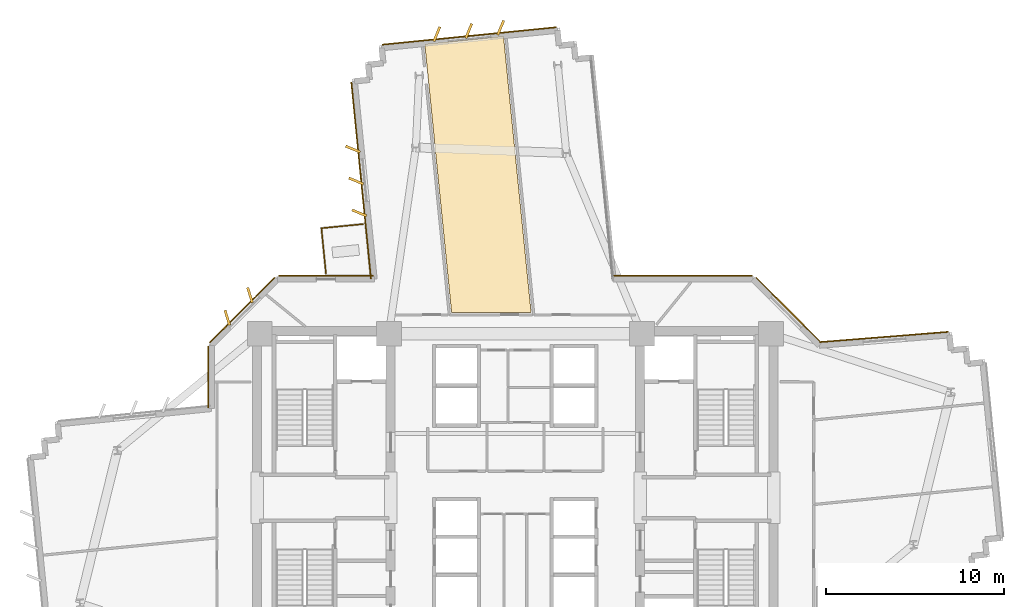
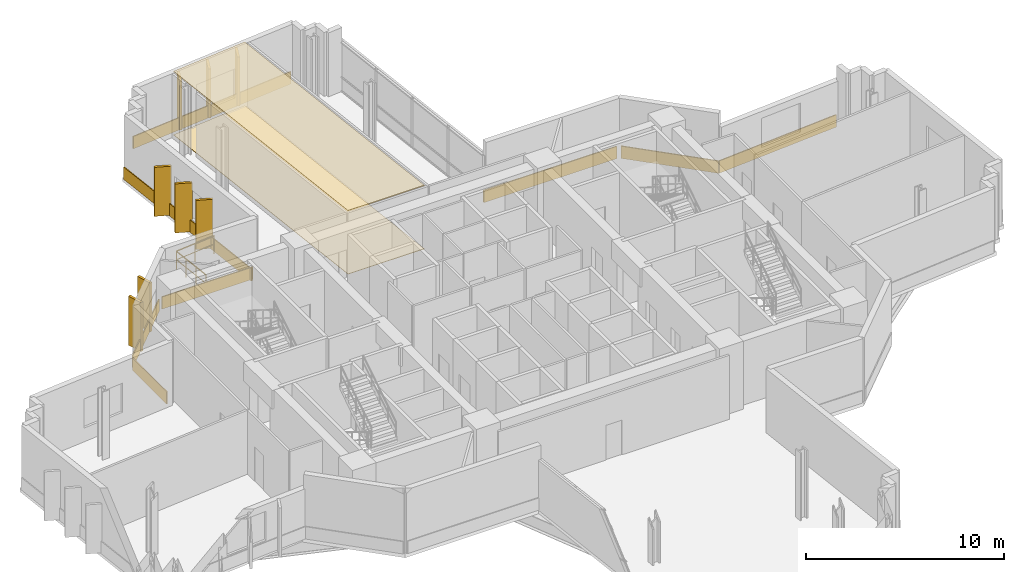
# One storey, part 14 of 14: 18 coverings, 2 railings.
"""IFC4 building model written with IfcOpenShell, lengths in metres."""

import ifcopenshell
import ifcopenshell.guid

model = None  # the IFC model being written
_history = None  # IfcOwnerHistory: only IFC2X3 demands one
_inside = {}  # id of a spatial element -> (the spatial element, [elements in it])
_under = {}  # id of a project, library or spatial element -> (it, [spatial elements below it])
_declared = {}  # id of a project -> (the project, [libraries it declares])
_typed = {}  # id of a type object -> (the type object, [elements of that type])
_made_of = {}  # id of a material, layer set ... -> (it, [elements and type objects made of it])


def new_model(schema):
    """Start an empty IFC model of exactly this schema.

    Asked for "IFC4X3", IfcOpenShell would pick the latest addendum, in which some entities
    have other attributes; the version numbers below select the first issue.
    IFC2X3 requires an IfcOwnerHistory on every rooted entity: one is made here for all.
    """
    global model, _history
    if schema == "IFC4X3":
        model = ifcopenshell.file(schema_version=(4, 3, 0, 0))
    else:
        model = ifcopenshell.file(schema=schema)
    _inside.clear()
    _under.clear()
    _declared.clear()
    _typed.clear()
    _made_of.clear()
    _history = None
    if model.schema == "IFC2X3":
        org = make("IfcOrganization", Name="unknown")
        user = make(
            "IfcPersonAndOrganization",
            ThePerson=make("IfcPerson", FamilyName="unknown"),
            TheOrganization=org,
        )
        app = make(
            "IfcApplication",
            ApplicationDeveloper=org,
            Version="unknown",
            ApplicationFullName="unknown",
            ApplicationIdentifier="unknown",
        )
        _history = make(
            "IfcOwnerHistory",
            OwningUser=user,
            OwningApplication=app,
            ChangeAction="ADDED",
            CreationDate=0,
        )
    return model


def make(cls, **values):
    """One entity of the class cls with the attributes given. An attribute that is None is left unset."""
    return model.create_entity(
        cls, **{name: value for name, value in values.items() if value is not None}
    )


def rooted(cls, **values):
    """An entity with a GlobalId (a new one), such as an element, a storey or a relation."""
    return make(cls, GlobalId=ifcopenshell.guid.new(), OwnerHistory=_history, **values)


def si_unit(unit_type, name, prefix=None):
    """IfcSIUnit, for example si_unit("LENGTHUNIT", "METRE", prefix="MILLI")."""
    return make("IfcSIUnit", UnitType=unit_type, Prefix=prefix, Name=name)


def assignment(units):
    """IfcUnitAssignment: the units of a project."""
    return None if units is None else make("IfcUnitAssignment", Units=units)


def point(xyz):
    """IfcCartesianPoint."""
    return None if xyz is None else make("IfcCartesianPoint", Coordinates=xyz)


def direction(xyz):
    """IfcDirection."""
    return None if xyz is None else make("IfcDirection", DirectionRatios=xyz)


def frame(location, z_axis=None, x_axis=None):
    """IfcAxis2Placement3D, a coordinate frame: its origin and axes. An axis left out is left unset."""
    return make(
        "IfcAxis2Placement3D",
        Location=point(location),
        Axis=direction(z_axis),
        RefDirection=direction(x_axis),
    )


def frame_2d(location, x_axis=None):
    """IfcAxis2Placement2D, a coordinate frame in the plane: its origin and x axis."""
    return make(
        "IfcAxis2Placement2D", Location=point(location), RefDirection=direction(x_axis)
    )


def origin():
    """The frame at (0, 0, 0) with its axes left unset."""
    return frame((0.0, 0.0, 0.0))


def origin_2d():
    """The frame at (0, 0) in the plane with its x axis left unset."""
    return frame_2d((0.0, 0.0))


def place(relative_to, where):
    """IfcLocalPlacement: puts the frame where relative to a parent placement (None: the world)."""
    return make(
        "IfcLocalPlacement", PlacementRelTo=relative_to, RelativePlacement=where
    )


def context(
    kind, dimensions, precision=None, world=None, true_north=None, identifier=None
):
    """IfcGeometricRepresentationContext, for example the 3D "Model" context."""
    return make(
        "IfcGeometricRepresentationContext",
        ContextIdentifier=identifier,
        ContextType=kind,
        CoordinateSpaceDimension=dimensions,
        Precision=precision,
        WorldCoordinateSystem=world,
        TrueNorth=true_north,
    )


def subcontext(parent, identifier, kind, view, scale=None):
    """IfcGeometricRepresentationSubContext, for example "Body" below "Model"."""
    return make(
        "IfcGeometricRepresentationSubContext",
        ContextIdentifier=identifier,
        ContextType=kind,
        ParentContext=parent,
        TargetScale=scale,
        TargetView=view,
    )


def project(units=None, contexts=None):
    """IfcProject with its units and contexts."""
    return rooted(
        "IfcProject",
        Name="project",
        RepresentationContexts=contexts,
        UnitsInContext=assignment(units),
    )


def spatial(cls, under=None, at=None, **own):
    """A site, building, storey or space (cls), placed at a placement, below another one or the project."""
    s = rooted(cls, ObjectPlacement=at, **own)
    if under is not None:
        _under.setdefault(under.id(), (under, []))[1].append(s)
    return s


def polyline(points):
    """IfcPolyline through the points."""
    return make("IfcPolyline", Points=[point(p) for p in points])


def profile(cls, at=None, kind="AREA", **sizes):
    """A parametric profile (cls). Its sizes go by their IFC names, for example OverallWidth=200.0."""
    return make(cls, ProfileType=kind, Position=at, **sizes)


def rectangle(**sizes):
    """IfcRectangleProfileDef."""
    return profile("IfcRectangleProfileDef", **sizes)


def outline(outer, holes=None, kind="AREA"):
    """IfcArbitraryClosedProfileDef: a profile drawn as a closed curve; with holes, ...WithVoids."""
    if holes is None:
        return make("IfcArbitraryClosedProfileDef", ProfileType=kind, OuterCurve=outer)
    return make(
        "IfcArbitraryProfileDefWithVoids",
        ProfileType=kind,
        OuterCurve=outer,
        InnerCurves=holes,
    )


def extrude(swept, where, along, depth):
    """IfcExtrudedAreaSolid: the profile swept, set in the frame where, extruded along a direction by depth."""
    return make(
        "IfcExtrudedAreaSolid",
        SweptArea=swept,
        Position=where,
        ExtrudedDirection=direction(along),
        Depth=depth,
    )


def shape(context_of_items, identifier, shape_type, items):
    """IfcShapeRepresentation: the items that make up one representation, for example the "Body"."""
    return make(
        "IfcShapeRepresentation",
        ContextOfItems=context_of_items,
        RepresentationIdentifier=identifier,
        RepresentationType=shape_type,
        Items=items,
    )


def source(mapping_origin, context_of_items, identifier, shape_type, items):
    """IfcRepresentationMap: a shape defined once, which mapped items show again and again."""
    return make(
        "IfcRepresentationMap",
        MappingOrigin=mapping_origin,
        MappedRepresentation=shape(context_of_items, identifier, shape_type, items),
    )


def transform(
    local_origin,
    x_axis=None,
    y_axis=None,
    z_axis=None,
    scale=None,
    scale2=None,
    scale3=None,
    uniform=True,
):
    """IfcCartesianTransformationOperator3D, or its non-uniform kind. x_axis, y_axis, z_axis: its Axis1, 2, 3."""
    if uniform:
        return make(
            "IfcCartesianTransformationOperator3D",
            Axis1=direction(x_axis),
            Axis2=direction(y_axis),
            LocalOrigin=point(local_origin),
            Scale=scale,
            Axis3=direction(z_axis),
        )
    return make(
        "IfcCartesianTransformationOperator3DnonUniform",
        Axis1=direction(x_axis),
        Axis2=direction(y_axis),
        LocalOrigin=point(local_origin),
        Scale=scale,
        Axis3=direction(z_axis),
        Scale2=scale2,
        Scale3=scale3,
    )


def mapped(mapping_source, mapping_target):
    """IfcMappedItem: shows the shape of a source again, moved by a transform."""
    return make(
        "IfcMappedItem", MappingSource=mapping_source, MappingTarget=mapping_target
    )


def material(Name=None, Category=None):
    """IfcMaterial."""
    return make("IfcMaterial", Name=Name, Category=Category)


def layer(
    of_material, thickness, ventilated=None, Name=None, Category=None, Priority=None
):
    """IfcMaterialLayer: one layer of a wall or slab, of a material (None: an air gap)."""
    return make(
        "IfcMaterialLayer",
        Material=of_material,
        LayerThickness=thickness,
        IsVentilated=ventilated,
        Name=Name,
        Category=Category,
        Priority=Priority,
    )


def layer_set(layers, Name=None):
    """IfcMaterialLayerSet."""
    return make("IfcMaterialLayerSet", MaterialLayers=layers, LayerSetName=Name)


def made_of(thing, what):
    """Note that an element or type object is made of a material, layer set ...; save() writes the relation."""
    if what is not None:
        _made_of.setdefault(what.id(), (what, []))[1].append(thing)
    return thing


def type_object(cls, material=None, **own):
    """A type object (cls), such as IfcWallType, which elements share."""
    return made_of(rooted(cls, **own), material)


def element(
    cls,
    number,
    at=None,
    inside=None,
    cuts=None,
    type_object=None,
    material=None,
    context=None,
    identifier="Body",
    shape_type=None,
    held_by="IfcProductDefinitionShape",
    body=None,
    shapes=None,
    **own,
):
    """One element of the class cls, such as IfcWall. Its Tag is "e" and its number.

    at: its placement. inside: the storey or other place that contains it. cuts: it is an
    opening in that element (IfcRelVoidsElement). A single representation is given by context,
    identifier, shape_type and body (its items); several are given by shapes. held_by: the class
    of the entity that holds the representations. save() writes the other relations.
    """
    e = rooted(cls, Tag="e%d" % number, ObjectPlacement=at, **own)
    if body is not None:
        shapes = [shape(context, identifier, shape_type, body)]
    if shapes is not None:
        e.Representation = make(held_by, Representations=shapes)
    if inside is not None:
        _inside.setdefault(inside.id(), (inside, []))[1].append(e)
    if cuts is not None:
        rooted(
            "IfcRelVoidsElement", RelatingBuildingElement=cuts, RelatedOpeningElement=e
        )
    if type_object is not None:
        _typed.setdefault(type_object.id(), (type_object, []))[1].append(e)
    return made_of(e, material)


def aggregate(whole, parts):
    """IfcRelAggregates: a whole, such as a stair, and the parts it consists of."""
    return rooted("IfcRelAggregates", RelatingObject=whole, RelatedObjects=parts)


def save(model, path):
    """Write the relations noted so far, then the file.

    IfcRelAggregates (storeys below a building ...), IfcRelContainedInSpatialStructure (elements
    in a storey), IfcRelDefinesByType, IfcRelAssociatesMaterial and IfcRelDeclares: one each for
    every whole, place, type object, material and project.
    """
    for whole, parts in _under.values():
        aggregate(whole, parts)
    for where, things in _inside.values():
        rooted(
            "IfcRelContainedInSpatialStructure",
            RelatedElements=things,
            RelatingStructure=where,
        )
    for kind, things in _typed.values():
        rooted("IfcRelDefinesByType", RelatedObjects=things, RelatingType=kind)
    for what, things in _made_of.values():
        rooted("IfcRelAssociatesMaterial", RelatedObjects=things, RelatingMaterial=what)
    for by, libraries in _declared.values():
        rooted("IfcRelDeclares", RelatingContext=by, RelatedDefinitions=libraries)
    model.write(path)


model = new_model("IFC4")

# Units and contexts
model_context = context("Model", 3, precision=1e-05, world=origin(), true_north=direction((0.0, 1.0)))
body_context = subcontext(model_context, "Body", "Model", "MODEL_VIEW")
ifc_project = project(units=[si_unit("LENGTHUNIT", "METRE"), si_unit("AREAUNIT", "SQUARE_METRE"), si_unit("VOLUMEUNIT", "CUBIC_METRE"), si_unit("PLANEANGLEUNIT", "RADIAN"), si_unit("MASSUNIT", "GRAM", prefix="KILO")], contexts=[model_context])

# Site, building, storey
site_placement = place(None, origin())
site = spatial("IfcSite", under=ifc_project, at=site_placement, CompositionType="ELEMENT")
building_placement = place(site_placement, origin())
building = spatial("IfcBuilding", under=site, at=building_placement, Name="Zahravan Cultural Tower", CompositionType="ELEMENT")
storey_placement = place(building_placement, frame((0.0, 0.0, 96.300048828125)))
storey = spatial("IfcBuildingStorey", under=building, at=storey_placement, Name="L21", CompositionType="ELEMENT", Elevation=96.300048828125)

# Coverings
ifc_material_1 = material(Name="Acoustic mineral fibreboard")
ifc_layer_1 = layer(ifc_material_1, 0.0400390625)
ifc_layer_set_1 = layer_set([ifc_layer_1], Name="Acoustic mineral fibreboard")
covering_type_1 = type_object("IfcCoveringType", Name="COV-CEIL-AC20", PredefinedType="CEILING", material=ifc_layer_set_1)
covering_1_placement = place(storey_placement, frame((0.0, 0.0, 3.909912109375)))
element("IfcCovering", 1, at=covering_1_placement, inside=storey, type_object=covering_type_1, Name="L21 Acoustic Suspended Ceiling", PredefinedType="CEILING", context=body_context, shape_type="SweptSolid", body=[
    extrude(outline(polyline([(30.916015625, 52.4609375), (32.41943359375, 37.39990234375), (36.88134765625, 37.39990234375), (35.333984375, 52.90185546875), (30.916015625, 52.4609375)])), origin(), (0.0, 0.0, 1.0), 0.0400390625),
])
ifc_material_2 = material(Name="Terrazzo flooring")
ifc_layer_2 = layer(ifc_material_2, 0.02490234375)
ifc_layer_set_2 = layer_set([ifc_layer_2], Name="Terrazzo flooring")
covering_type_2 = type_object("IfcCoveringType", Name="COV-FLR-TZ25", PredefinedType="FLOORING", material=ifc_layer_set_2)
covering_2_placement = place(storey_placement, origin())
element("IfcCovering", 2, at=covering_2_placement, inside=storey, type_object=covering_type_2, Name="L21 Polished Terrazzo Flooring", PredefinedType="FLOORING", context=body_context, shape_type="SweptSolid", body=[
    extrude(outline(polyline([(30.916015625, 52.4609375), (32.41943359375, 37.39990234375), (36.88134765625, 37.39990234375), (35.333984375, 52.90185546875), (30.916015625, 52.4609375)])), origin(), (0.0, 0.0, 1.0), 0.02490234375),
])

# Railings
ifc_material_3 = material(Name="Steel ASTM A572 Grade 50", Category="steel")
railing_type = type_object("IfcRailingType", Name="RL-BAL-1150", PredefinedType="BALUSTRADE", material=ifc_material_3)
railing_1_placement = place(storey_placement, frame((25.114013671875, 42.12353515625, 0.0)))
element("IfcRailing", 3, at=railing_1_placement, inside=storey, type_object=railing_type, Name="L21 Edge Balustrade GRD-TR-L21-NW-01", PredefinedType="BALUSTRADE", context=body_context, shape_type="SweptSolid", body=[
    extrude(rectangle(XDim=0.05, YDim=0.05, at=origin_2d()), frame((0.0, 0.0, 1.125), z_axis=(0.995055687983, 0.099318567312, 0.0), x_axis=(-0.099318567312, 0.995055687983, 0.0)), (0.0, 0.0, 1.0), 2.35009765625),
    extrude(rectangle(XDim=0.032, YDim=0.032, at=origin_2d()), frame((0.0, 0.0, 0.597900390625), z_axis=(0.995055687983, 0.099318567312, 0.0), x_axis=(-0.099318567312, 0.995055687983, 0.0)), (0.0, 0.0, 1.0), 2.35009765625),
    extrude(rectangle(XDim=0.04, YDim=0.04, at=origin_2d()), origin(), (0.0, 0.0, 1.0), 1.14990234375),
    extrude(rectangle(XDim=0.04, YDim=0.04, at=origin_2d()), frame((1.169189453125, 0.11669921875, 0.0)), (0.0, 0.0, 1.0), 1.14990234375),
    extrude(rectangle(XDim=0.04, YDim=0.04, at=origin_2d()), frame((2.33837890625, 0.2333984375, 0.0)), (0.0, 0.0, 1.0), 1.14990234375),
])
railing_2_placement = place(storey_placement, frame((25.367919921875, 39.580078125, 0.0)))
element("IfcRailing", 4, at=railing_2_placement, inside=storey, type_object=railing_type, Name="L21 Edge Balustrade GRD-TR-L21-NW-02", PredefinedType="BALUSTRADE", context=body_context, shape_type="SweptSolid", body=[
    extrude(rectangle(XDim=0.05, YDim=0.05, at=origin_2d()), frame((0.0, 0.0, 1.125), z_axis=(-0.099333496417, 0.995054197765, 0.0), x_axis=(-0.995054197765, -0.099333496417, 0.0)), (0.0, 0.0, 1.0), 2.55615234375),
    extrude(rectangle(XDim=0.032, YDim=0.032, at=origin_2d()), frame((0.0, 0.0, 0.597900390625), z_axis=(-0.099333496417, 0.995054197765, 0.0), x_axis=(-0.995054197765, -0.099333496417, 0.0)), (0.0, 0.0, 1.0), 2.55615234375),
    extrude(rectangle(XDim=0.04, YDim=0.04, at=origin_2d()), origin(), (0.0, 0.0, 1.0), 1.14990234375),
    extrude(rectangle(XDim=0.04, YDim=0.04, at=origin_2d()), frame((-0.084716796875, 0.847900390625, 0.0)), (0.0, 0.0, 1.0), 1.14990234375),
    extrude(rectangle(XDim=0.04, YDim=0.04, at=origin_2d()), frame((-0.169189453125, 1.695556640625, 0.0)), (0.0, 0.0, 1.0), 1.14990234375),
    extrude(rectangle(XDim=0.04, YDim=0.04, at=origin_2d()), frame((-0.25390625, 2.54345703125, 0.0)), (0.0, 0.0, 1.0), 1.14990234375),
])

# Coverings
ifc_material_4 = material(Name="Terracotta ceramic cladding", Category="masonry")
ifc_layer_3 = layer(ifc_material_4, 0.06005859375)
ifc_layer_set_3 = layer_set([ifc_layer_3], Name="Terracotta ceramic cladding")
covering_type_3 = type_object("IfcCoveringType", Name="COV-CLAD-TC60", PredefinedType="CLADDING", material=ifc_layer_set_3)
shared_shape_1 = source(origin(), body_context, "Body", "SweptSolid", [
    extrude(rectangle(XDim=9.820068359375, YDim=0.06005859375, at=origin_2d()), origin(), (0.0, 0.0, 1.0), 0.760009765625),
])
covering_3_placement = place(storey_placement, frame((33.4130859375, 52.916259765625, 0.02001953125), z_axis=(0.0, 0.0, 1.0), x_axis=(0.995055569961, 0.099319749744, 0.0)))
element("IfcCovering", 5, at=covering_3_placement, inside=storey, type_object=covering_type_3, Name="L21 Terracotta Spandrel Cladding 20", PredefinedType="CLADDING", context=body_context, shape_type="MappedRepresentation", body=[
    mapped(shared_shape_1, transform((0.0, 0.0, 0.0), x_axis=(1.0, 0.0, 0.0), y_axis=(0.0, 1.0, 0.0), z_axis=(0.0, 0.0, 1.0), scale=1.0)),
])
shared_shape_2 = source(origin(), body_context, "Body", "SweptSolid", [
    extrude(rectangle(XDim=5.157958984375, YDim=0.06005859375, at=origin_2d()), origin(), (0.0, 0.0, 1.0), 0.760009765625),
])
for number, where, z_axis, x_axis, name in (
    (6, (20.668212890625, 37.53173828125, 0.02001953125), (0.0, 0.0, 1.0), (0.707106781187, 0.707106781187, 0.0), "L21 Terracotta Spandrel Cladding 13"),
    (7, (51.331787109375, 37.53173828125, 0.02001953125), (0.0, 0.0, 1.0), (0.707106781187, -0.707106781187, 0.0), "L21 Terracotta Spandrel Cladding 26"),
):
    element("IfcCovering", number, at=place(storey_placement, frame(where, z_axis=z_axis, x_axis=x_axis)), inside=storey, type_object=covering_type_3, Name=name, PredefinedType="CLADDING", context=body_context, shape_type="MappedRepresentation", body=[
        mapped(shared_shape_2, transform((0.0, 0.0, 0.0), x_axis=(1.0, 0.0, 0.0), y_axis=(0.0, 1.0, 0.0), z_axis=(0.0, 0.0, 1.0), scale=1.0)),
    ])
shared_shape_3 = source(origin(), body_context, "Body", "SweptSolid", [
    extrude(rectangle(XDim=0.8798828125, YDim=0.139892578125, at=origin_2d()), origin(), (0.0, 0.0, 1.0), 3.030029296875),
])
for number, where, z_axis, x_axis, name in (
    (8, (19.830322265625, 37.096923828125, 0.0498046875), (0.0, 0.0, 1.0), (-0.292371704723, 0.956304755963, 0.0), "L21 Herringbone Terracotta Fin 10"),
    (9, (21.10302734375, 38.36962890625, 0.0498046875), (0.0, 0.0, 1.0), (-0.292371704723, 0.956304755963, 0.0), "L21 Herringbone Terracotta Fin 11"),
    (10, (27.239501953125, 42.981689453125, 0.0498046875), (0.0, 0.0, 1.0), (-0.925209718386, 0.379456159529, 0.0), "L21 Herringbone Terracotta Fin 12"),
    (11, (27.060546875, 44.77294921875, 0.0498046875), (0.0, 0.0, 1.0), (-0.925209718386, 0.379456159529, 0.0), "L21 Herringbone Terracotta Fin 13"),
    (12, (26.8818359375, 46.56396484375, 0.0498046875), (0.0, 0.0, 1.0), (-0.925209718386, 0.379456159529, 0.0), "L21 Herringbone Terracotta Fin 14"),
    (13, (31.59375, 53.02099609375, 0.0498046875), (0.0, 0.0, 1.0), (0.379456159529, 0.925209718386, 0.0), "L21 Herringbone Terracotta Fin 15"),
    (14, (33.385009765625, 53.19970703125, 0.0498046875), (0.0, 0.0, 1.0), (0.379456159529, 0.925209718386, 0.0), "L21 Herringbone Terracotta Fin 16"),
    (15, (35.176025390625, 53.378662109375, 0.0498046875), (0.0, 0.0, 1.0), (0.379456159529, 0.925209718386, 0.0), "L21 Herringbone Terracotta Fin 17"),
):
    element("IfcCovering", number, at=place(storey_placement, frame(where, z_axis=z_axis, x_axis=x_axis)), inside=storey, type_object=covering_type_3, Name=name, PredefinedType="CLADDING", context=body_context, shape_type="MappedRepresentation", body=[
        mapped(shared_shape_3, transform((0.0, 0.0, 0.0), x_axis=(1.0, 0.0, 0.0), y_axis=(0.0, 1.0, 0.0), z_axis=(0.0, 0.0, 1.0), scale=1.0)),
    ])
shared_shape_4 = source(origin(), body_context, "Body", "SweptSolid", [
    extrude(rectangle(XDim=7.2373046875, YDim=0.06005859375, at=origin_2d()), origin(), (0.0, 0.0, 1.0), 0.760009765625),
])
covering_4_placement = place(storey_placement, frame((56.702392578125, 36.018310546875, 0.02001953125), z_axis=(0.0, 0.0, 1.0), x_axis=(0.996827683211, 0.079590011836, 0.0)))
element("IfcCovering", 16, at=covering_4_placement, inside=storey, type_object=covering_type_3, Name="L21 Terracotta Spandrel Cladding 27", PredefinedType="CLADDING", context=body_context, shape_type="MappedRepresentation", body=[
    mapped(shared_shape_4, transform((0.0, 0.0, 0.0), x_axis=(1.0, 0.0, 0.0), y_axis=(0.0, 1.0, 0.0), z_axis=(0.0, 0.0, 1.0), scale=1.0)),
])
shared_shape_5 = source(origin(), body_context, "Body", "SweptSolid", [
    extrude(rectangle(XDim=3.45166015625, YDim=0.06005859375, at=origin_2d()), origin(), (0.0, 0.0, 1.0), 0.760009765625),
])
covering_5_placement = place(storey_placement, frame((18.7548828125, 33.76611328125, 0.02001953125), z_axis=(0.0, 0.0, 1.0), x_axis=(0.0, 1.0, 0.0)))
element("IfcCovering", 17, at=covering_5_placement, inside=storey, type_object=covering_type_3, Name="L21 Terracotta Spandrel Cladding 12", PredefinedType="CLADDING", context=body_context, shape_type="MappedRepresentation", body=[
    mapped(shared_shape_5, transform((0.0, 0.0, 0.0), x_axis=(1.0, 0.0, 0.0), y_axis=(0.0, 1.0, 0.0), z_axis=(0.0, 0.0, 1.0), scale=1.0)),
])
shared_shape_6 = source(origin(), body_context, "Body", "SweptSolid", [
    extrude(rectangle(XDim=5.3251953125, YDim=0.06005859375, at=origin_2d()), origin(), (0.0, 0.0, 1.0), 0.760009765625),
])
covering_6_placement = place(storey_placement, frame((25.37060546875, 39.445068359375, 0.02001953125), z_axis=(0.0, 0.0, 1.0), x_axis=(1.0, 0.0, 0.0)))
element("IfcCovering", 18, at=covering_6_placement, inside=storey, type_object=covering_type_3, Name="L21 Terracotta Spandrel Cladding 14", PredefinedType="CLADDING", context=body_context, shape_type="MappedRepresentation", body=[
    mapped(shared_shape_6, transform((0.0, 0.0, 0.0), x_axis=(1.0, 0.0, 0.0), y_axis=(0.0, 1.0, 0.0), z_axis=(0.0, 0.0, 1.0), scale=1.0)),
])
shared_shape_7 = source(origin(), body_context, "Body", "SweptSolid", [
    extrude(rectangle(XDim=11.07421875, YDim=0.06005859375, at=origin_2d()), origin(), (0.0, 0.0, 1.0), 0.760009765625),
])
covering_7_placement = place(storey_placement, frame((27.34423828125, 44.80126953125, 0.02001953125), z_axis=(0.0, 0.0, 1.0), x_axis=(-0.099319749744, 0.995055569961, 0.0)))
element("IfcCovering", 19, at=covering_7_placement, inside=storey, type_object=covering_type_3, Name="L21 Terracotta Spandrel Cladding 15", PredefinedType="CLADDING", context=body_context, shape_type="MappedRepresentation", body=[
    mapped(shared_shape_7, transform((0.0, 0.0, 0.0), x_axis=(1.0, 0.0, 0.0), y_axis=(0.0, 1.0, 0.0), z_axis=(0.0, 0.0, 1.0), scale=1.0)),
])
shared_shape_8 = source(origin(), body_context, "Body", "SweptSolid", [
    extrude(rectangle(XDim=7.772705078125, YDim=0.06005859375, at=origin_2d()), origin(), (0.0, 0.0, 1.0), 0.760009765625),
])
covering_8_placement = place(storey_placement, frame((45.40576171875, 39.445068359375, 0.02001953125), z_axis=(0.0, 0.0, 1.0), x_axis=(1.0, 0.0, 0.0)))
element("IfcCovering", 20, at=covering_8_placement, inside=storey, type_object=covering_type_3, Name="L21 Terracotta Spandrel Cladding 25", PredefinedType="CLADDING", context=body_context, shape_type="MappedRepresentation", body=[
    mapped(shared_shape_8, transform((0.0, 0.0, 0.0), x_axis=(1.0, 0.0, 0.0), y_axis=(0.0, 1.0, 0.0), z_axis=(0.0, 0.0, 1.0), scale=1.0)),
])

save(model, "model.ifc")
